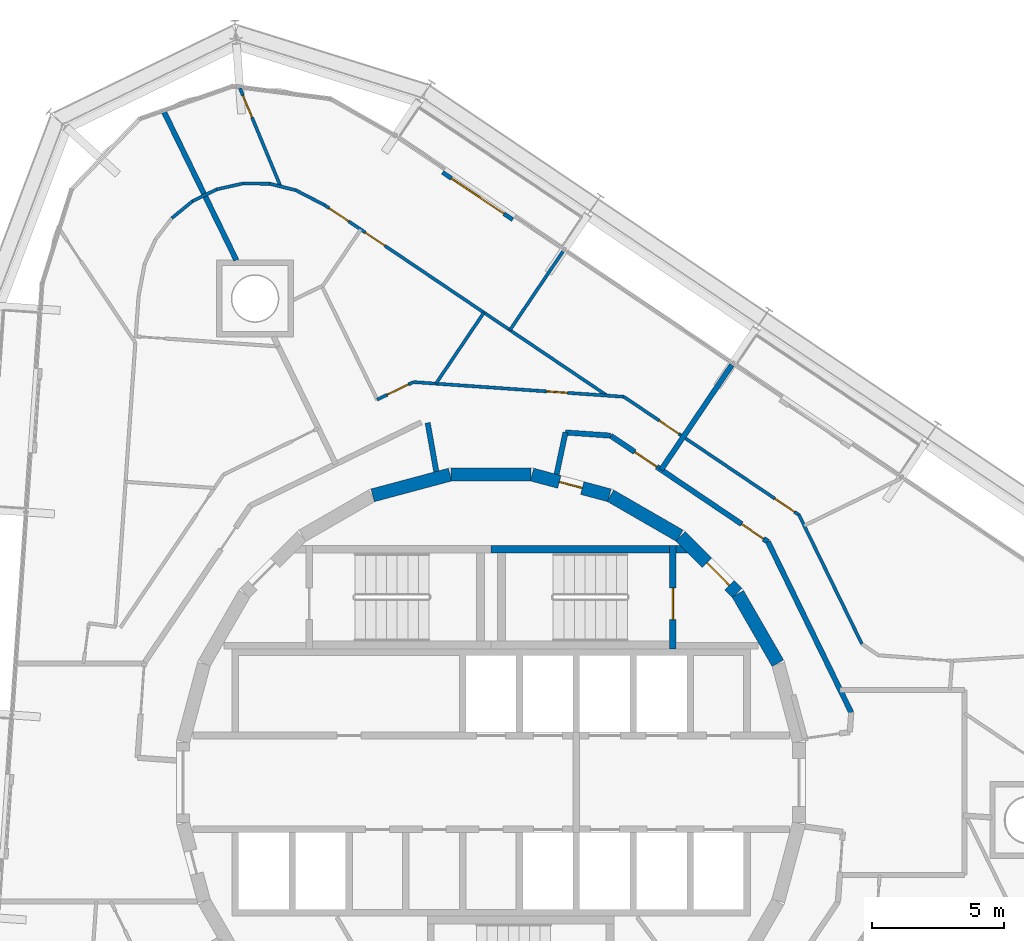
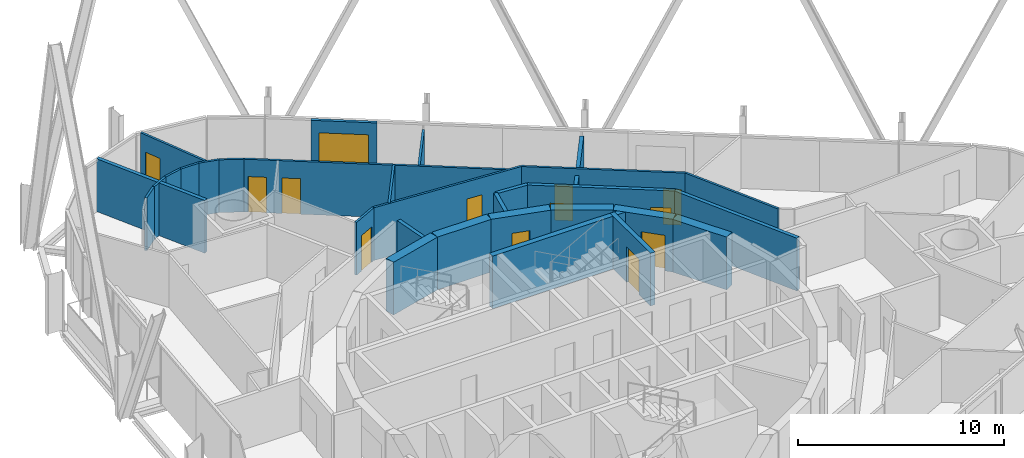
# One storey, part 16 of 18: 31 walls, 13 doors, 13 openings.
"""IFC4 building model written with IfcOpenShell, lengths in metres."""

from ifc_helpers import new_model, si_unit, direction, frame, frame_2d, origin, place, context, subcontext, project, spatial, polyline, rectangle, outline, extrude, material, layer, layer_set, type_object, element, fill, save


model = new_model("IFC4")

# Units and contexts
model_context = context("Model", 3, precision=1e-05, world=origin(), true_north=direction((0.0, 1.0)))
body_context = subcontext(model_context, "Body", "Model", "MODEL_VIEW")
ifc_project = project(units=[si_unit("LENGTHUNIT", "METRE"), si_unit("AREAUNIT", "SQUARE_METRE"), si_unit("VOLUMEUNIT", "CUBIC_METRE"), si_unit("PLANEANGLEUNIT", "RADIAN"), si_unit("MASSUNIT", "GRAM", prefix="KILO")], contexts=[model_context])

# Site, building, storey
site_placement = place(None, origin())
site = spatial("IfcSite", under=ifc_project, at=site_placement, CompositionType="ELEMENT")
building_placement = place(site_placement, origin())
building = spatial("IfcBuilding", under=site, at=building_placement, Name="Spindle Arch Residences", CompositionType="ELEMENT")
storey_placement = place(building_placement, frame((0.0, 0.0, 202.39990234375)))
storey = spatial("IfcBuildingStorey", under=building, at=storey_placement, Name="L51", CompositionType="ELEMENT", Elevation=202.39990234375)

# Wall
ifc_material_1 = material(Name="Concrete C50/60", Category="concrete")
ifc_layer_1 = layer(ifc_material_1, 0.5)
ifc_layer_set_1 = layer_set([ifc_layer_1], Name="Core outline wall 500")
wall_type_1 = type_object("IfcWallType", Name="Core outline wall 500", PredefinedType="SHEAR", material=ifc_layer_set_1)
wall_1_placement = place(storey_placement, frame((10.84521484375, 4.510498046875, 0.0), z_axis=(0.0, 0.0, 1.0), x_axis=(-0.500087131594, 0.865975092491, 0.0)))
element("IfcWall", 1, at=wall_1_placement, inside=storey, type_object=wall_type_1, Name="Core outline wall 8", PredefinedType="SHEAR", context=body_context, shape_type="SweptSolid", body=[
    extrude(rectangle(XDim=3.03271484375, YDim=0.5, at=frame_2d((1.516357421875, 0.0))), origin(), (0.0, 0.0, 1.0), 3.1201171875),
])

# Wall, opening, door
wall_2_placement = place(storey_placement, frame((9.30810546875, 7.163818359375, 0.0), z_axis=(0.0, 0.0, 1.0), x_axis=(-0.707106781187, 0.707106781187, 0.0)))
wall_2 = element("IfcWall", 2, at=wall_2_placement, inside=storey, type_object=wall_type_1, Name="Core outline wall 9", PredefinedType="SHEAR", context=body_context, shape_type="SweptSolid", body=[
    extrude(rectangle(XDim=3.032470703125, YDim=0.5, at=frame_2d((1.51611328125, 0.0))), origin(), (0.0, 0.0, 1.0), 3.1201171875),
])
opening_1_placement = place(wall_2_placement, frame((0.416259765625, 0.0, 0.0)))
opening_1 = element("IfcOpeningElement", 3, at=opening_1_placement, cuts=wall_2, Name="Opening R5B0-AD01", PredefinedType="OPENING", context=body_context, shape_type="SweptSolid", body=[
    extrude(rectangle(XDim=1.199951171875, YDim=2.10009765625, at=frame_2d((0.60009765625, 1.050048828125))), frame((0.0, 0.260009765625, 0.0), z_axis=(0.0, -1.0, 0.0), x_axis=(1.0, 0.0, 0.0)), (0.0, 0.0, 1.0), 0.52001953125),
])
ifc_material_2 = material(Name="Steel, fire-resisting door", Category="steel")
door_type_1 = type_object("IfcDoorType", Name="Stair airlock door 1200x2100", OperationType="SINGLE_SWING_LEFT", PredefinedType="DOOR", material=ifc_material_2)
door_1_placement = place(opening_1_placement, origin())
door_1 = element("IfcDoor", 4, at=door_1_placement, inside=storey, type_object=door_type_1, Name="Stair airlock door R5B0-AD01", OperationType="SINGLE_SWING_RIGHT", OverallHeight=2.10009765625, OverallWidth=1.199951171875, PredefinedType="DOOR", context=body_context, shape_type="SweptSolid", body=[
    extrude(rectangle(XDim=1.199951171875, YDim=2.10009765625, at=frame_2d((0.60009765625, 1.050048828125))), frame((0.0, 0.02490234375, 0.0), z_axis=(0.0, -1.0, 0.0), x_axis=(1.0, 0.0, 0.0)), (0.0, 0.0, 1.0), 0.050048828125),
])
fill(opening_1, door_1)

# Wall
wall_3_placement = place(storey_placement, frame((7.13671875, 9.32861328125, 0.0), z_axis=(0.0, 0.0, 1.0), x_axis=(-0.865975092491, 0.500087131594, 0.0)))
element("IfcWall", 5, at=wall_3_placement, inside=storey, type_object=wall_type_1, Name="Core outline wall 10", PredefinedType="SHEAR", context=body_context, shape_type="SweptSolid", body=[
    extrude(rectangle(XDim=3.03271484375, YDim=0.5, at=frame_2d((1.516357421875, 0.0))), origin(), (0.0, 0.0, 1.0), 3.1201171875),
])

# Wall, opening, door
wall_4_placement = place(storey_placement, frame((4.479248046875, 10.858154296875, 0.0), z_axis=(0.0, 0.0, 1.0), x_axis=(-0.965948410781, 0.258734743916, 0.0)))
wall_4 = element("IfcWall", 6, at=wall_4_placement, inside=storey, type_object=wall_type_1, Name="Core outline wall 11", PredefinedType="SHEAR", context=body_context, shape_type="SweptSolid", body=[
    extrude(rectangle(XDim=3.03271484375, YDim=0.5, at=frame_2d((1.516357421875, 0.0))), origin(), (0.0, 0.0, 1.0), 3.1201171875),
])
opening_2_placement = place(wall_4_placement, frame((1.066162109375, 0.0, 0.0)))
opening_2 = element("IfcOpeningElement", 7, at=opening_2_placement, cuts=wall_4, Name="Opening R5B0-WD11", PredefinedType="OPENING", context=body_context, shape_type="SweptSolid", body=[
    extrude(rectangle(XDim=0.89990234375, YDim=2.10009765625, at=frame_2d((0.449951171875, 1.050048828125))), frame((0.0, 0.260009765625, 0.0), z_axis=(0.0, -1.0, 0.0), x_axis=(1.0, 0.0, 0.0)), (0.0, 0.0, 1.0), 0.52001953125),
])
ifc_material_3 = material(Name="Steel, fire-resisting door", Category="steel")
door_type_2 = type_object("IfcDoorType", Name="Service room door 900x2100", OperationType="SINGLE_SWING_LEFT", PredefinedType="DOOR", material=ifc_material_3)
door_2_placement = place(opening_2_placement, origin())
door_2 = element("IfcDoor", 8, at=door_2_placement, inside=storey, type_object=door_type_2, Name="Service room door R5B0-WD11", OperationType="SINGLE_SWING_LEFT", OverallHeight=2.10009765625, OverallWidth=0.89990234375, PredefinedType="DOOR", context=body_context, shape_type="SweptSolid", body=[
    extrude(rectangle(XDim=0.89990234375, YDim=2.10009765625, at=frame_2d((0.449951171875, 1.050048828125))), frame((0.0, 0.02490234375, 0.0), z_axis=(0.0, -1.0, 0.0), x_axis=(1.0, 0.0, 0.0)), (0.0, 0.0, 1.0), 0.050048828125),
])
fill(opening_2, door_2)

# Walls
for number, where, z_axis, x_axis, name in (
    (9, (1.516357421875, 11.647216796875, 0.0), (0.0, 0.0, 1.0), (-1.0, 0.0, 0.0), "Core outline wall 12"),
    (10, (-1.5498046875, 11.642822265625, 0.0), (0.0, 0.0, 1.0), (-0.965948410781, -0.258734743916, 0.0), "Core outline wall 13"),
):
    element("IfcWall", number, at=place(storey_placement, frame(where, z_axis=z_axis, x_axis=x_axis)), inside=storey, type_object=wall_type_1, Name=name, PredefinedType="SHEAR", context=body_context, shape_type="SweptSolid", body=[
        extrude(rectangle(XDim=3.03271484375, YDim=0.5, at=frame_2d((1.516357421875, 0.0))), origin(), (0.0, 0.0, 1.0), 3.1201171875),
    ])

# Wall, openings, doors
ifc_material_4 = material(Name="Calcium silicate block, plastered")
ifc_layer_2 = layer(ifc_material_4, 0.199951171875)
ifc_layer_set_2 = layer_set([ifc_layer_2], Name="Corridor wall 200")
wall_type_2 = type_object("IfcWallType", Name="Corridor wall 200", PredefinedType="STANDARD", material=ifc_layer_set_2)
wall_5_placement = place(storey_placement, frame((10.469970703125, 9.101318359375, 0.0), z_axis=(0.0, 0.0, 1.0), x_axis=(-0.829035841718, 0.559195469534, 0.0)))
wall_5 = element("IfcWall", 11, at=wall_5_placement, inside=storey, type_object=wall_type_2, Name="Corridor wall R5B0-W005", PredefinedType="STANDARD", context=body_context, shape_type="SweptSolid", body=[
    extrude(rectangle(XDim=7.18115234375, YDim=0.199951171875, at=frame_2d((3.590576171875, 0.0))), origin(), (0.0, 0.0, 1.0), 3.1201171875),
])
opening_3_placement = place(wall_5_placement, frame((0.199951171875, 0.0, 0.0)))
opening_3 = element("IfcOpeningElement", 12, at=opening_3_placement, cuts=wall_5, Name="Opening R5B0-FD01", PredefinedType="OPENING", context=body_context, shape_type="SweptSolid", body=[
    extrude(rectangle(XDim=1.0, YDim=2.10009765625, at=frame_2d((0.5, 1.050048828125))), frame((0.0, 0.10986328125, 0.0), z_axis=(0.0, -1.0, 0.0), x_axis=(1.0, 0.0, 0.0)), (0.0, 0.0, 1.0), 0.219970703125),
])
opening_4_placement = place(wall_5_placement, frame((5.07275390625, 0.0, 0.0)))
opening_4 = element("IfcOpeningElement", 13, at=opening_4_placement, cuts=wall_5, Name="Opening R5B0-FD02", PredefinedType="OPENING", context=body_context, shape_type="SweptSolid", body=[
    extrude(rectangle(XDim=1.0, YDim=2.10009765625, at=frame_2d((0.5, 1.050048828125))), frame((0.0, 0.10986328125, 0.0), z_axis=(0.0, -1.0, 0.0), x_axis=(1.0, 0.0, 0.0)), (0.0, 0.0, 1.0), 0.219970703125),
])
ifc_material_5 = material(Name="Timber, fire-resisting door set", Category="wood")
door_type_3 = type_object("IfcDoorType", Name="Flat entrance door 1000x2100", OperationType="NOTDEFINED", PredefinedType="DOOR", material=ifc_material_5)
door_3_placement = place(opening_3_placement, origin())
door_3 = element("IfcDoor", 14, at=door_3_placement, inside=storey, type_object=door_type_3, Name="Flat entrance door R5B0-FD01", OperationType="SINGLE_SWING_LEFT", OverallHeight=2.10009765625, OverallWidth=1.0, PredefinedType="DOOR", context=body_context, shape_type="SweptSolid", body=[
    extrude(rectangle(XDim=1.0, YDim=2.10009765625, at=frame_2d((0.5, 1.050048828125))), frame((0.0, 0.02490234375, 0.0), z_axis=(0.0, -1.0, 0.0), x_axis=(1.0, 0.0, 0.0)), (0.0, 0.0, 1.0), 0.050048828125),
])
fill(opening_3, door_3)
door_4_placement = place(opening_4_placement, origin())
door_4 = element("IfcDoor", 15, at=door_4_placement, inside=storey, type_object=door_type_3, Name="Flat entrance door R5B0-FD02", OperationType="SINGLE_SWING_RIGHT", OverallHeight=2.10009765625, OverallWidth=1.0, PredefinedType="DOOR", context=body_context, shape_type="SweptSolid", body=[
    extrude(rectangle(XDim=1.0, YDim=2.10009765625, at=frame_2d((0.5, 1.050048828125))), frame((0.0, 0.02490234375, 0.0), z_axis=(0.0, -1.0, 0.0), x_axis=(1.0, 0.0, 0.0)), (0.0, 0.0, 1.0), 0.050048828125),
])
fill(opening_4, door_4)

# Walls
wall_6_placement = place(storey_placement, frame((4.5166015625, 13.116943359375, 0.0), z_axis=(0.0, 0.0, 1.0), x_axis=(-0.997562153664, 0.069783591025, 0.0)))
element("IfcWall", 16, at=wall_6_placement, inside=storey, type_object=wall_type_2, Name="Corridor wall R5B0-W006", PredefinedType="STANDARD", context=body_context, shape_type="SweptSolid", body=[
    extrude(rectangle(XDim=1.707275390625, YDim=0.199951171875, at=frame_2d((0.853515625, 0.0))), origin(), (0.0, 0.0, 1.0), 3.1201171875),
])
wall_7_placement = place(storey_placement, frame((2.8134765625, 13.236083984375, 0.0), z_axis=(0.0, 0.0, 1.0), x_axis=(-0.207911086063, -0.978147729278, 0.0)))
element("IfcWall", 17, at=wall_7_placement, inside=storey, type_object=wall_type_2, Name="Corridor wall R5B0-W007", PredefinedType="STANDARD", context=body_context, shape_type="SweptSolid", body=[
    extrude(rectangle(XDim=1.6181640625, YDim=0.199951171875, at=frame_2d((0.80908203125, 0.0))), origin(), (0.0, 0.0, 1.0), 3.1201171875),
])
wall_8_placement = place(storey_placement, frame((-2.07373046875, 11.76123046875, 0.0), z_axis=(0.0, 0.0, 1.0), x_axis=(-0.173740587112, 0.984791454263, 0.0)))
element("IfcWall", 18, at=wall_8_placement, inside=storey, type_object=wall_type_2, Name="Corridor wall R5B0-W010", PredefinedType="STANDARD", context=body_context, shape_type="SweptSolid", body=[
    extrude(rectangle(XDim=1.867431640625, YDim=0.199951171875, at=frame_2d((0.93359375, 0.0))), origin(), (0.0, 0.0, 1.0), 3.1201171875),
])
ifc_material_6 = material(Name="Calcium silicate block, plastered")
ifc_layer_3 = layer(ifc_material_6, 0.199951171875)
ifc_layer_set_3 = layer_set([ifc_layer_3], Name="Fire-lift lobby bay wall 200")
wall_type_3 = type_object("IfcWallType", Name="Fire-lift lobby bay wall 200", PredefinedType="STANDARD", material=ifc_layer_set_3)
wall_9_placement = place(storey_placement, frame((13.617919921875, 2.64697265625, 0.0), z_axis=(0.0, 0.0, 1.0), x_axis=(-0.438366026218, 0.898796543751, 0.0)))
element("IfcWall", 19, at=wall_9_placement, inside=storey, type_object=wall_type_3, Name="Fire-lift lobby bay wall R5B0-W004", PredefinedType="STANDARD", context=body_context, shape_type="SweptSolid", body=[
    extrude(rectangle(XDim=7.18115234375, YDim=0.199951171875, at=frame_2d((3.590576171875, 0.0))), origin(), (0.0, 0.0, 1.0), 3.1201171875),
])
ifc_material_7 = material(Name="Plasterboard on steel studs", Category="steel")
ifc_layer_4 = layer(ifc_material_7, 0.1201171875)
ifc_layer_set_4 = layer_set([ifc_layer_4], Name="Flat partition 120")
wall_type_4 = type_object("IfcWallType", Name="Flat partition 120", PredefinedType="PARTITIONING", material=ifc_layer_set_4)
wall_10_placement = place(storey_placement, frame((14.02587890625, 5.232177734375, 0.0), z_axis=(0.0, 0.0, 1.0), x_axis=(-0.438374985284, 0.89879217413, 0.0)))
element("IfcWall", 20, at=wall_10_placement, inside=storey, type_object=wall_type_4, Name="Flat partition R5B0-W040", PredefinedType="PARTITIONING", context=body_context, shape_type="SweptSolid", body=[
    extrude(rectangle(XDim=5.438232421875, YDim=0.1201171875, at=frame_2d((2.71923828125, 0.0))), origin(), (0.0, 0.0, 1.0), 3.1201171875),
])

# Wall, openings, doors
wall_11_placement = place(storey_placement, frame((11.641845703125, 10.1201171875, 0.0), z_axis=(0.0, 0.0, 1.0), x_axis=(-0.829032241779, 0.55920080659, 0.0)))
wall_11 = element("IfcWall", 21, at=wall_11_placement, inside=storey, type_object=wall_type_4, Name="Flat partition R5B0-W041", PredefinedType="PARTITIONING", context=body_context, shape_type="SweptSolid", body=[
    extrude(rectangle(XDim=7.98486328125, YDim=0.1201171875, at=frame_2d((3.992431640625, 0.0))), origin(), (0.0, 0.0, 1.0), 3.1201171875),
])
opening_5_placement = place(wall_11_placement, frame((0.199951171875, 0.0, 0.0)))
opening_5 = element("IfcOpeningElement", 22, at=opening_5_placement, cuts=wall_11, Name="Opening R5B0-ID02", PredefinedType="OPENING", context=body_context, shape_type="SweptSolid", body=[
    extrude(rectangle(XDim=0.89990234375, YDim=2.10009765625, at=frame_2d((0.449951171875, 1.050048828125))), frame((0.0, 0.070068359375, 0.0), z_axis=(0.0, -1.0, 0.0), x_axis=(1.0, 0.0, 0.0)), (0.0, 0.0, 1.0), 0.14013671875),
])
opening_6_placement = place(wall_11_placement, frame((5.474853515625, 0.0, 0.0)))
opening_6 = element("IfcOpeningElement", 23, at=opening_6_placement, cuts=wall_11, Name="Opening R5B0-ID05", PredefinedType="OPENING", context=body_context, shape_type="SweptSolid", body=[
    extrude(rectangle(XDim=0.89990234375, YDim=2.10009765625, at=frame_2d((0.449951171875, 1.050048828125))), frame((0.0, 0.070068359375, 0.0), z_axis=(0.0, -1.0, 0.0), x_axis=(1.0, 0.0, 0.0)), (0.0, 0.0, 1.0), 0.14013671875),
])
ifc_material_8 = material(Name="Timber door set", Category="wood")
door_type_4 = type_object("IfcDoorType", Name="Room door 900x2100", OperationType="NOTDEFINED", PredefinedType="DOOR", material=ifc_material_8)
door_5_placement = place(opening_5_placement, origin())
door_5 = element("IfcDoor", 24, at=door_5_placement, inside=storey, type_object=door_type_4, Name="Room door R5B0-ID02", OperationType="SINGLE_SWING_LEFT", OverallHeight=2.10009765625, OverallWidth=0.89990234375, PredefinedType="DOOR", context=body_context, shape_type="SweptSolid", body=[
    extrude(rectangle(XDim=0.89990234375, YDim=2.10009765625, at=frame_2d((0.449951171875, 1.050048828125))), frame((0.0, 0.02490234375, 0.0), z_axis=(0.0, -1.0, 0.0), x_axis=(1.0, 0.0, 0.0)), (0.0, 0.0, 1.0), 0.050048828125),
])
fill(opening_5, door_5)
door_6_placement = place(opening_6_placement, origin())
door_6 = element("IfcDoor", 25, at=door_6_placement, inside=storey, type_object=door_type_4, Name="Room door R5B0-ID05", OperationType="SINGLE_SWING_RIGHT", OverallHeight=2.10009765625, OverallWidth=0.89990234375, PredefinedType="DOOR", context=body_context, shape_type="SweptSolid", body=[
    extrude(rectangle(XDim=0.89990234375, YDim=2.10009765625, at=frame_2d((0.449951171875, 1.050048828125))), frame((0.0, 0.02490234375, 0.0), z_axis=(0.0, -1.0, 0.0), x_axis=(1.0, 0.0, 0.0)), (0.0, 0.0, 1.0), 0.050048828125),
])
fill(opening_6, door_6)

# Wall, opening, door
wall_12_placement = place(storey_placement, frame((5.022216796875, 14.585205078125, 0.0), z_axis=(0.0, 0.0, 1.0), x_axis=(-0.997565118395, 0.069741197017, 0.0)))
wall_12 = element("IfcWall", 26, at=wall_12_placement, inside=storey, type_object=wall_type_4, Name="Flat partition R5B0-W048", PredefinedType="PARTITIONING", context=body_context, shape_type="SweptSolid", body=[
    extrude(rectangle(XDim=7.985107421875, YDim=0.1201171875, at=frame_2d((3.99267578125, 0.0))), origin(), (0.0, 0.0, 1.0), 3.1201171875),
])
opening_7_placement = place(wall_12_placement, frame((2.138427734375, 0.0, 0.0)))
opening_7 = element("IfcOpeningElement", 27, at=opening_7_placement, cuts=wall_12, Name="Opening R5B0-BD02", PredefinedType="OPENING", context=body_context, shape_type="SweptSolid", body=[
    extrude(rectangle(XDim=0.800048828125, YDim=2.10009765625, at=frame_2d((0.39990234375, 1.050048828125))), frame((0.0, 0.070068359375, 0.0), z_axis=(0.0, -1.0, 0.0), x_axis=(1.0, 0.0, 0.0)), (0.0, 0.0, 1.0), 0.14013671875),
])
ifc_material_9 = material(Name="Timber door set", Category="wood")
door_type_5 = type_object("IfcDoorType", Name="Bathroom door 800x2100", OperationType="NOTDEFINED", PredefinedType="DOOR", material=ifc_material_9)
door_7_placement = place(opening_7_placement, origin())
door_7 = element("IfcDoor", 28, at=door_7_placement, inside=storey, type_object=door_type_5, Name="Bathroom door R5B0-BD02", OperationType="SINGLE_SWING_RIGHT", OverallHeight=2.10009765625, OverallWidth=0.800048828125, PredefinedType="DOOR", context=body_context, shape_type="SweptSolid", body=[
    extrude(rectangle(XDim=0.800048828125, YDim=2.10009765625, at=frame_2d((0.39990234375, 1.050048828125))), frame((0.0, 0.02490234375, 0.0), z_axis=(0.0, -1.0, 0.0), x_axis=(1.0, 0.0, 0.0)), (0.0, 0.0, 1.0), 0.050048828125),
])
fill(opening_7, door_7)

wall_13_placement = place(storey_placement, frame((-2.943359375, 15.14208984375, 0.0), z_axis=(0.0, 0.0, 1.0), x_axis=(-0.898853439798, -0.438249351127, 0.0)))
wall_13 = element("IfcWall", 29, at=wall_13_placement, inside=storey, type_object=wall_type_4, Name="Flat partition R5B0-W049", PredefinedType="PARTITIONING", context=body_context, shape_type="SweptSolid", body=[
    extrude(rectangle(XDim=1.51806640625, YDim=0.1201171875, at=frame_2d((0.759033203125, 0.0))), origin(), (0.0, 0.0, 1.0), 3.1201171875),
])
opening_8_placement = place(wall_13_placement, frame((0.199951171875, 0.0, 0.0)))
opening_8 = element("IfcOpeningElement", 30, at=opening_8_placement, cuts=wall_13, Name="Opening R5B0-ID06", PredefinedType="OPENING", context=body_context, shape_type="SweptSolid", body=[
    extrude(rectangle(XDim=0.89990234375, YDim=2.10009765625, at=frame_2d((0.449951171875, 1.050048828125))), frame((0.0, 0.070068359375, 0.0), z_axis=(0.0, -1.0, 0.0), x_axis=(1.0, 0.0, 0.0)), (0.0, 0.0, 1.0), 0.14013671875),
])
door_8_placement = place(opening_8_placement, origin())
door_8 = element("IfcDoor", 31, at=door_8_placement, inside=storey, type_object=door_type_4, Name="Room door R5B0-ID06", OperationType="SINGLE_SWING_RIGHT", OverallHeight=2.10009765625, OverallWidth=0.89990234375, PredefinedType="DOOR", context=body_context, shape_type="SweptSolid", body=[
    extrude(rectangle(XDim=0.89990234375, YDim=2.10009765625, at=frame_2d((0.449951171875, 1.050048828125))), frame((0.0, 0.02490234375, 0.0), z_axis=(0.0, -1.0, 0.0), x_axis=(1.0, 0.0, 0.0)), (0.0, 0.0, 1.0), 0.050048828125),
])
fill(opening_8, door_8)

# Wall, openings, doors
wall_14_placement = place(storey_placement, frame((-6.291748046875, 21.831298828125, 0.0), z_axis=(0.0, 0.0, 1.0), x_axis=(0.829040041754, -0.559189242715, 0.0)))
wall_14 = element("IfcWall", 32, at=wall_14_placement, inside=storey, type_object=wall_type_4, Name="Flat partition R5B0-W052", PredefinedType="PARTITIONING", context=body_context, shape_type="SweptSolid", body=[
    extrude(rectangle(XDim=12.878662109375, YDim=0.1201171875, at=frame_2d((6.439453125, 0.0))), origin(), (0.0, 0.0, 1.0), 3.1201171875),
])
opening_9_placement = place(wall_14_placement, frame((1.843994140625, 0.0, 0.0)))
opening_9 = element("IfcOpeningElement", 33, at=opening_9_placement, cuts=wall_14, Name="Opening R5B0-ID07", PredefinedType="OPENING", context=body_context, shape_type="SweptSolid", body=[
    extrude(rectangle(XDim=0.89990234375, YDim=2.10009765625, at=frame_2d((0.449951171875, 1.050048828125))), frame((0.0, 0.070068359375, 0.0), z_axis=(0.0, -1.0, 0.0), x_axis=(1.0, 0.0, 0.0)), (0.0, 0.0, 1.0), 0.14013671875),
])
opening_10_placement = place(wall_14_placement, frame((0.199951171875, 0.0, 0.0)))
opening_10 = element("IfcOpeningElement", 34, at=opening_10_placement, cuts=wall_14, Name="Opening R5B0-ID08", PredefinedType="OPENING", context=body_context, shape_type="SweptSolid", body=[
    extrude(rectangle(XDim=0.89990234375, YDim=2.10009765625, at=frame_2d((0.449951171875, 1.050048828125))), frame((0.0, 0.070068359375, 0.0), z_axis=(0.0, -1.0, 0.0), x_axis=(1.0, 0.0, 0.0)), (0.0, 0.0, 1.0), 0.14013671875),
])
door_9_placement = place(opening_9_placement, origin())
door_9 = element("IfcDoor", 35, at=door_9_placement, inside=storey, type_object=door_type_4, Name="Room door R5B0-ID07", OperationType="SINGLE_SWING_RIGHT", OverallHeight=2.10009765625, OverallWidth=0.89990234375, PredefinedType="DOOR", context=body_context, shape_type="SweptSolid", body=[
    extrude(rectangle(XDim=0.89990234375, YDim=2.10009765625, at=frame_2d((0.449951171875, 1.050048828125))), frame((0.0, 0.02490234375, 0.0), z_axis=(0.0, -1.0, 0.0), x_axis=(1.0, 0.0, 0.0)), (0.0, 0.0, 1.0), 0.050048828125),
])
fill(opening_9, door_9)
door_10_placement = place(opening_10_placement, origin())
door_10 = element("IfcDoor", 36, at=door_10_placement, inside=storey, type_object=door_type_4, Name="Room door R5B0-ID08", OperationType="SINGLE_SWING_LEFT", OverallHeight=2.10009765625, OverallWidth=0.89990234375, PredefinedType="DOOR", context=body_context, shape_type="SweptSolid", body=[
    extrude(rectangle(XDim=0.89990234375, YDim=2.10009765625, at=frame_2d((0.449951171875, 1.050048828125))), frame((0.0, 0.02490234375, 0.0), z_axis=(0.0, -1.0, 0.0), x_axis=(1.0, 0.0, 0.0)), (0.0, 0.0, 1.0), 0.050048828125),
])
fill(opening_10, door_10)

# Walls
wall_15_placement = place(storey_placement, frame((-0.271728515625, 17.77099609375, 0.0), z_axis=(0.0, 0.0, 1.0), x_axis=(-0.559174158254, -0.829050216055, 0.0)))
element("IfcWall", 37, at=wall_15_placement, inside=storey, type_object=wall_type_4, Name="Flat partition R5B0-W054", PredefinedType="PARTITIONING", context=body_context, shape_type="SweptSolid", body=[
    extrude(rectangle(XDim=3.2431640625, YDim=0.1201171875, at=frame_2d((1.62158203125, 0.0))), origin(), (0.0, 0.0, 1.0), 3.1201171875),
])
wall_16_placement = place(storey_placement, frame((-8.367431640625, 22.640380859375, 0.0), z_axis=(0.0, 0.0, 1.0), x_axis=(0.970340073087, -0.241743960754, 0.0)))
element("IfcWall", 38, at=wall_16_placement, inside=storey, type_object=wall_type_4, Name="Flat partition R5B0-W055", PredefinedType="PARTITIONING", context=body_context, shape_type="SweptSolid", body=[
    extrude(rectangle(XDim=1.015869140625, YDim=0.1201171875, at=frame_2d((0.5078125, 0.0))), origin(), (0.0, 0.0, 1.0), 3.1201171875),
])
wall_17_placement = place(storey_placement, frame((-7.381591796875, 22.394775390625, 0.0), z_axis=(0.0, 0.0, 1.0), x_axis=(0.888296031948, -0.459271335514, 0.0)))
element("IfcWall", 39, at=wall_17_placement, inside=storey, type_object=wall_type_4, Name="Flat partition R5B0-W056", PredefinedType="PARTITIONING", context=body_context, shape_type="SweptSolid", body=[
    extrude(rectangle(XDim=1.226806640625, YDim=0.1201171875, at=frame_2d((0.61328125, 0.0))), origin(), (0.0, 0.0, 1.0), 3.1201171875),
])

# Wall, opening, door
wall_18_placement = place(storey_placement, frame((-9.498046875, 26.25390625, 0.0), z_axis=(0.0, 0.0, 1.0), x_axis=(0.38230709116, -0.924035328355, 0.0)))
wall_18 = element("IfcWall", 40, at=wall_18_placement, inside=storey, type_object=wall_type_4, Name="Flat partition R5B0-W057", PredefinedType="PARTITIONING", context=body_context, shape_type="SweptSolid", body=[
    extrude(rectangle(XDim=4.02001953125, YDim=0.1201171875, at=frame_2d((2.010009765625, 0.0))), origin(), (0.0, 0.0, 1.0), 3.1201171875),
])
opening_11_placement = place(wall_18_placement, frame((0.300048828125, 0.0, 0.0)))
opening_11 = element("IfcOpeningElement", 41, at=opening_11_placement, cuts=wall_18, Name="Opening R5B0-ID09", PredefinedType="OPENING", context=body_context, shape_type="SweptSolid", body=[
    extrude(rectangle(XDim=0.89990234375, YDim=2.10009765625, at=frame_2d((0.449951171875, 1.050048828125))), frame((0.0, 0.070068359375, 0.0), z_axis=(0.0, -1.0, 0.0), x_axis=(1.0, 0.0, 0.0)), (0.0, 0.0, 1.0), 0.14013671875),
])
door_11_placement = place(opening_11_placement, origin())
door_11 = element("IfcDoor", 42, at=door_11_placement, inside=storey, type_object=door_type_4, Name="Room door R5B0-ID09", OperationType="SINGLE_SWING_RIGHT", OverallHeight=2.10009765625, OverallWidth=0.89990234375, PredefinedType="DOOR", context=body_context, shape_type="SweptSolid", body=[
    extrude(rectangle(XDim=0.89990234375, YDim=2.10009765625, at=frame_2d((0.449951171875, 1.050048828125))), frame((0.0, 0.02490234375, 0.0), z_axis=(0.0, -1.0, 0.0), x_axis=(1.0, 0.0, 0.0)), (0.0, 0.0, 1.0), 0.050048828125),
])
fill(opening_11, door_11)

# Walls
for number, where, z_axis, x_axis, name in (
    (43, (-8.367431640625, 22.640380859375, 0.0), (0.0, 0.0, 1.0), (-0.999930669942, 0.011775198949, 0.0), "Flat partition R5B0-W059"),
    (44, (-9.38330078125, 22.65234375, 0.0), (0.0, 0.0, 1.0), (-0.975686894554, -0.219169075821, 0.0), "Flat partition R5B0-W060"),
):
    element("IfcWall", number, at=place(storey_placement, frame(where, z_axis=z_axis, x_axis=x_axis)), inside=storey, type_object=wall_type_4, Name=name, PredefinedType="PARTITIONING", context=body_context, shape_type="SweptSolid", body=[
        extrude(rectangle(XDim=1.015869140625, YDim=0.1201171875, at=frame_2d((0.5078125, 0.0))), origin(), (0.0, 0.0, 1.0), 3.1201171875),
    ])
wall_19_placement = place(storey_placement, frame((-10.37451171875, 22.4296875, 0.0), z_axis=(0.0, 0.0, 1.0), x_axis=(-0.898710701911, -0.438541986895, 0.0)))
element("IfcWall", 45, at=wall_19_placement, inside=storey, type_object=wall_type_4, Name="Flat partition R5B0-W061", PredefinedType="PARTITIONING", context=body_context, shape_type="SweptSolid", body=[
    extrude(rectangle(XDim=1.01611328125, YDim=0.1201171875, at=frame_2d((0.508056640625, 0.0))), origin(), (0.0, 0.0, 1.0), 3.1201171875),
])
wall_20_placement = place(storey_placement, frame((-11.28759765625, 21.984130859375, 0.0), z_axis=(0.0, 0.0, 1.0), x_axis=(-0.773571701215, -0.633708784127, 0.0)))
element("IfcWall", 46, at=wall_20_placement, inside=storey, type_object=wall_type_4, Name="Flat partition R5B0-W066", PredefinedType="PARTITIONING", context=body_context, shape_type="SweptSolid", body=[
    extrude(rectangle(XDim=1.015869140625, YDim=0.1201171875, at=frame_2d((0.5078125, 0.0))), origin(), (0.0, 0.0, 1.0), 3.1201171875),
])
ifc_material_10 = material(Name="Plasterboard on steel studs", Category="steel")
ifc_layer_5 = layer(ifc_material_10, 0.1201171875)
ifc_layer_set_5 = layer_set([ifc_layer_5], Name="Flat partition 120 under beam 2730")
wall_type_5 = type_object("IfcWallType", Name="Flat partition 120 under beam 2730", PredefinedType="PARTITIONING", material=ifc_layer_set_5)
wall_21_placement = place(storey_placement, frame((2.72509765625, 20.091796875, 0.0), z_axis=(0.0, 0.0, 1.0), x_axis=(-0.559230560117, -0.829012171582, 0.0)))
element("IfcWall", 47, at=wall_21_placement, inside=storey, type_object=wall_type_5, Name="Flat partition R5B0-W053", PredefinedType="PARTITIONING", context=body_context, shape_type="SweptSolid", body=[
    extrude(rectangle(XDim=3.599853515625, YDim=0.1201171875, at=frame_2d((1.7998046875, 0.0))), origin(), (0.0, 0.0, 1.0), 2.72998046875),
])
ifc_material_11 = material(Name="Calcium silicate block, plastered")
ifc_layer_6 = layer(ifc_material_11, 0.199951171875)
ifc_layer_set_6 = layer_set([ifc_layer_6], Name="Flat party wall 200")
wall_type_6 = type_object("IfcWallType", Name="Flat party wall 200", PredefinedType="STANDARD", material=ifc_layer_set_6)
wall_22_placement = place(storey_placement, frame((-12.4091796875, 25.4423828125, 0.0), z_axis=(0.0, 0.0, 1.0), x_axis=(0.43838641251, -0.898786600549, 0.0)))
element("IfcWall", 48, at=wall_22_placement, inside=storey, type_object=wall_type_6, Name="Flat party wall R5B0-W032", PredefinedType="STANDARD", context=body_context, shape_type="SweptSolid", body=[
    extrude(rectangle(XDim=6.33251953125, YDim=0.199951171875, at=frame_2d((3.166259765625, 0.0))), origin(), (0.0, 0.0, 1.0), 3.1201171875),
])
ifc_material_12 = material(Name="Calcium silicate block, plastered")
ifc_layer_7 = layer(ifc_material_12, 0.199951171875)
ifc_layer_set_7 = layer_set([ifc_layer_7], Name="Flat party wall 200 under beam 2730")
wall_type_7 = type_object("IfcWallType", Name="Flat party wall 200 under beam 2730", PredefinedType="STANDARD", material=ifc_layer_set_7)
wall_23_placement = place(storey_placement, frame((9.103515625, 15.78955078125, 0.0), z_axis=(0.0, 0.0, 1.0), x_axis=(-0.559193912135, -0.829036892201, 0.0)))
element("IfcWall", 49, at=wall_23_placement, inside=storey, type_object=wall_type_7, Name="Flat party wall R5B0-W027", PredefinedType="STANDARD", context=body_context, shape_type="SweptSolid", body=[
    extrude(rectangle(XDim=4.78076171875, YDim=0.199951171875, at=frame_2d((2.390380859375, 0.0))), origin(), (0.0, 0.0, 1.0), 2.72998046875),
])

# Wall, opening, door
ifc_material_13 = material(Name="Non-combustible mineral wool insulated aluminium faced external wall (K0)", Category="aluminium")
ifc_layer_8 = layer(ifc_material_13, 0.159912109375)
ifc_layer_set_8 = layer_set([ifc_layer_8], Name="Insulated external wall panel 160")
wall_type_8 = type_object("IfcWallType", Name="Insulated external wall panel 160", PredefinedType="STANDARD", material=ifc_layer_set_8)
wall_24_placement = place(storey_placement, frame((0.817626953125, 21.281982421875, 0.0), z_axis=(0.0, 0.0, 1.0), x_axis=(-0.829044984211, 0.559181915082, 0.0)))
wall_24 = element("IfcWall", 50, at=wall_24_placement, inside=storey, type_object=wall_type_8, Name="External wall L51 bay 9", PredefinedType="STANDARD", context=body_context, shape_type="SweptSolid", body=[
    extrude(rectangle(XDim=3.199951171875, YDim=0.159912109375, at=frame_2d((1.60009765625, 0.0))), origin(), (0.0, 0.0, 1.0), 3.1201171875),
])
opening_12_placement = place(wall_24_placement, frame((0.39990234375, 0.0, 0.0)))
opening_12 = element("IfcOpeningElement", 51, at=opening_12_placement, cuts=wall_24, Name="Opening BD09", PredefinedType="OPENING", context=body_context, shape_type="SweptSolid", body=[
    extrude(rectangle(XDim=2.39990234375, YDim=2.39990234375, at=frame_2d((1.199951171875, 1.199951171875))), frame((0.0, 0.08984375, 0.0), z_axis=(0.0, -1.0, 0.0), x_axis=(1.0, 0.0, 0.0)), (0.0, 0.0, 1.0), 0.179931640625),
])
ifc_material_14 = material(Name="Bronze aluminium frame, tinted double glazing", Category="aluminium")
door_type_6 = type_object("IfcDoorType", Name="Sliding glazed balcony door 2400x2400", OperationType="DOUBLE_DOOR_SLIDING", PredefinedType="DOOR", material=ifc_material_14)
door_12_placement = place(opening_12_placement, origin())
door_12 = element("IfcDoor", 52, at=door_12_placement, inside=storey, type_object=door_type_6, Name="Balcony door BD09", OperationType="DOUBLE_DOOR_SLIDING", OverallHeight=2.39990234375, OverallWidth=2.39990234375, PredefinedType="DOOR", context=body_context, shape_type="SweptSolid", body=[
    extrude(rectangle(XDim=2.39990234375, YDim=2.39990234375, at=frame_2d((1.199951171875, 1.199951171875))), frame((0.0, 0.02490234375, 0.0), z_axis=(0.0, -1.0, 0.0), x_axis=(1.0, 0.0, 0.0)), (0.0, 0.0, 1.0), 0.050048828125),
])
fill(opening_12, door_12)

# Wall
ifc_material_15 = material(Name="Concrete C40/50", Category="concrete")
wall_type_9 = type_object("IfcWallType", Name="Stair airlock wall profile", PredefinedType="SHEAR", material=ifc_material_15)
wall_25_placement = place(storey_placement, origin())
element("IfcWall", 53, at=wall_25_placement, inside=storey, type_object=wall_type_9, Name="Stair ST-1 airlock wall N", PredefinedType="SHEAR", context=body_context, shape_type="SweptSolid", body=[
    extrude(outline(polyline([(7.4482421875, 8.669921875), (7.0, 8.669921875), (7.0, 8.969970703125), (7.148193359375, 8.969970703125), (7.4482421875, 8.669921875)])), origin(), (0.0, 0.0, 1.0), 3.1201171875),
])

# Wall, opening, door
ifc_material_16 = material(Name="Concrete C50/60", Category="concrete")
ifc_layer_9 = layer(ifc_material_16, 0.25)
ifc_layer_set_9 = layer_set([ifc_layer_9], Name="Stair enclosure wall 250")
wall_type_10 = type_object("IfcWallType", Name="Stair enclosure wall 250", PredefinedType="SHEAR", material=ifc_layer_set_9)
wall_26_placement = place(storey_placement, frame((6.875, 5.050048828125, 0.0), z_axis=(0.0, 0.0, 1.0), x_axis=(0.0, 1.0, 0.0)))
wall_26 = element("IfcWall", 54, at=wall_26_placement, inside=storey, type_object=wall_type_10, Name="Stair ST-1 door wall", PredefinedType="SHEAR", context=body_context, shape_type="SweptSolid", body=[
    extrude(rectangle(XDim=3.919921875, YDim=0.25, at=frame_2d((1.9599609375, 0.0))), origin(), (0.0, 0.0, 1.0), 3.1201171875),
])
opening_13_placement = place(wall_26_placement, frame((1.110107421875, 0.0, 0.0)))
opening_13 = element("IfcOpeningElement", 55, at=opening_13_placement, cuts=wall_26, Name="Opening R5B0-SD01", PredefinedType="OPENING", context=body_context, shape_type="SweptSolid", body=[
    extrude(rectangle(XDim=1.199951171875, YDim=2.10009765625, at=frame_2d((0.60009765625, 1.050048828125))), frame((0.0, 0.135009765625, 0.0), z_axis=(0.0, -1.0, 0.0), x_axis=(1.0, 0.0, 0.0)), (0.0, 0.0, 1.0), 0.27001953125),
])
ifc_material_17 = material(Name="Steel, fire-resisting door", Category="steel")
door_type_7 = type_object("IfcDoorType", Name="Stair door 1200x2100", OperationType="SINGLE_SWING_RIGHT", PredefinedType="DOOR", material=ifc_material_17)
door_13_placement = place(opening_13_placement, origin())
door_13 = element("IfcDoor", 56, at=door_13_placement, inside=storey, type_object=door_type_7, Name="Stair door R5B0-SD01", OperationType="SINGLE_SWING_LEFT", OverallHeight=2.10009765625, OverallWidth=1.199951171875, PredefinedType="DOOR", context=body_context, shape_type="SweptSolid", body=[
    extrude(rectangle(XDim=1.199951171875, YDim=2.10009765625, at=frame_2d((0.60009765625, 1.050048828125))), frame((0.0, 0.02490234375, 0.0), z_axis=(0.0, -1.0, 0.0), x_axis=(1.0, 0.0, 0.0)), (0.0, 0.0, 1.0), 0.050048828125),
])
fill(opening_13, door_13)

# Wall
ifc_material_18 = material(Name="Concrete C50/60", Category="concrete")
ifc_layer_10 = layer(ifc_material_18, 0.300048828125)
ifc_layer_set_10 = layer_set([ifc_layer_10], Name="Stair enclosure wall 300")
wall_type_11 = type_object("IfcWallType", Name="Stair enclosure wall 300", PredefinedType="SHEAR", material=ifc_layer_set_10)
wall_27_placement = place(storey_placement, frame((0.0, 8.820068359375, 0.0), z_axis=(0.0, 0.0, 1.0), x_axis=(1.0, 0.0, 0.0)))
element("IfcWall", 57, at=wall_27_placement, inside=storey, type_object=wall_type_11, Name="Stair ST-1 enclosure wall N", PredefinedType="SHEAR", context=body_context, shape_type="SweptSolid", body=[
    extrude(rectangle(XDim=6.75, YDim=0.300048828125, at=frame_2d((3.375, 0.0))), origin(), (0.0, 0.0, 1.0), 3.1201171875),
])

save(model, "model.ifc")
